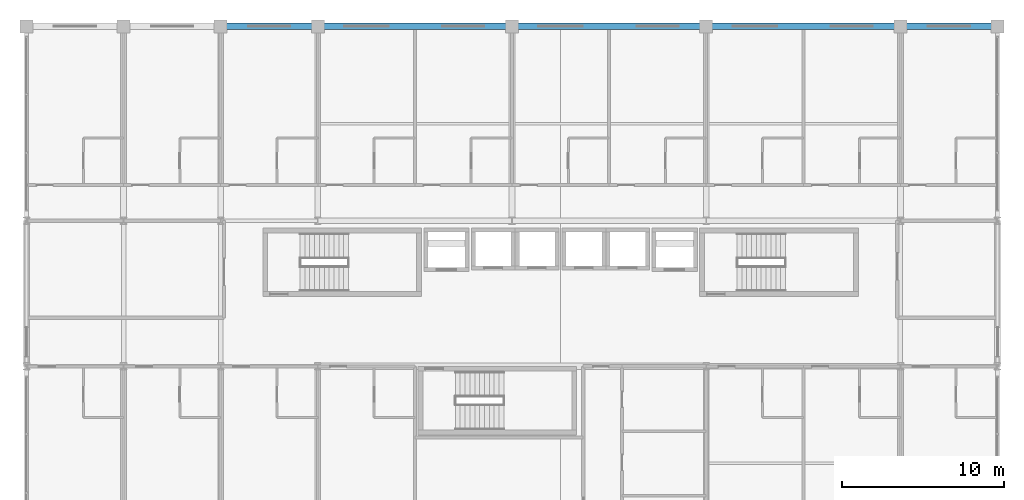
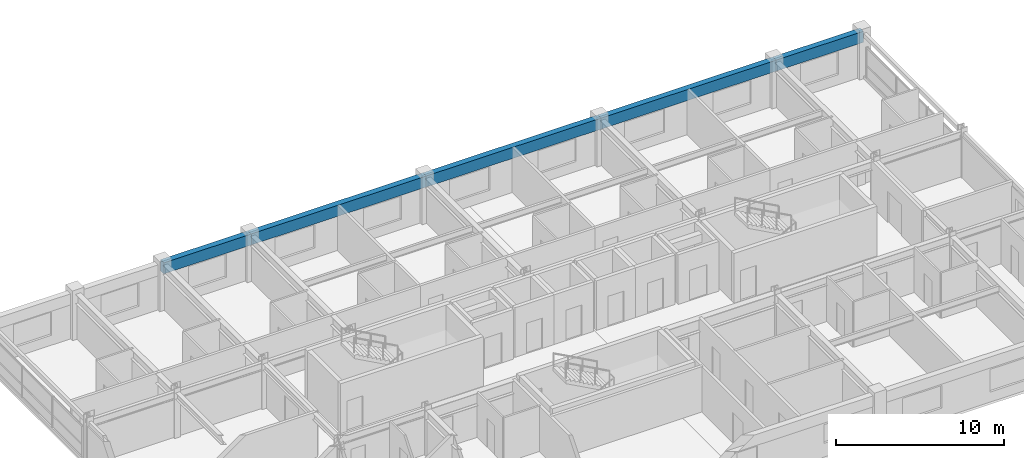
# One storey, part 18 of 26: 5 beams.
"""IFC4 building model written with IfcOpenShell, lengths in metres."""

from ifc_helpers import new_model, si_unit, direction, frame, origin, origin_2d, place, context, subcontext, project, spatial, rectangle, extrude, material, material_profile, profile_set, type_object, element, save


model = new_model("IFC4")

# Units and contexts
model_context = context("Model", 3, precision=1e-05, world=origin(), true_north=direction((0.0, 1.0)))
body_context = subcontext(model_context, "Body", "Model", "MODEL_VIEW")
ifc_project = project(units=[si_unit("LENGTHUNIT", "METRE"), si_unit("AREAUNIT", "SQUARE_METRE"), si_unit("VOLUMEUNIT", "CUBIC_METRE"), si_unit("PLANEANGLEUNIT", "RADIAN"), si_unit("MASSUNIT", "GRAM", prefix="KILO")], contexts=[model_context])

# Site, building, storey
site_placement = place(None, origin())
site = spatial("IfcSite", under=ifc_project, at=site_placement, CompositionType="ELEMENT")
building_placement = place(site_placement, origin())
building = spatial("IfcBuilding", under=site, at=building_placement, Name="Kaldorvane Square Convention Centre", CompositionType="ELEMENT")
storey_placement = place(building_placement, frame((0.0, 0.0, 42.0)))
storey = spatial("IfcBuildingStorey", under=building, at=storey_placement, Name="L09", CompositionType="ELEMENT", Elevation=42.0)

# Beams
ifc_material = material(Name="Concrete f'c = 42 MPa (Normalweight)", Category="concrete")
ifc_material_profile = material_profile(ifc_material, rectangle(XDim=0.399993896484375, YDim=0.8000030517578125, at=origin_2d()), Name="RCSP800X400")
ifc_profile_set = profile_set([ifc_material_profile], Name="Concrete f'c = 42 MPa (Normalweight)")
beam_type = type_object("IfcBeamType", Name="BM-SP-RC800", PredefinedType="SPANDREL", material=ifc_profile_set)
beam_1_placement = place(storey_placement, frame((36.0, 117.0, 2.8860015869140625), z_axis=(1.0, 0.0, 0.0), x_axis=(0.0, 1.0, 0.0)))
element("IfcBeam", 1, at=beam_1_placement, inside=storey, type_object=beam_type, Name="Perimeter Spandrel (L09)", PredefinedType="SPANDREL", context=body_context, shape_type="SweptSolid", body=[
    extrude(rectangle(XDim=0.399993896484375, YDim=0.8000030517578125, at=origin_2d()), origin(), (0.0, 0.0, 1.0), 6.0),
])
for number, where, z_axis, x_axis, name in (
    (2, (42.0, 117.0, 2.8860015869140625), (1.0, 0.0, 0.0), (0.0, 1.0, 0.0), "Perimeter Spandrel (L09)"),
    (3, (54.0, 117.0, 2.8860015869140625), (1.0, 0.0, 0.0), (0.0, 1.0, 0.0), "Perimeter Spandrel (L09)"),
    (4, (66.0, 117.0, 2.8860015869140625), (1.0, 0.0, 0.0), (0.0, 1.0, 0.0), "Perimeter Spandrel (L09)"),
):
    element("IfcBeam", number, at=place(storey_placement, frame(where, z_axis=z_axis, x_axis=x_axis)), inside=storey, type_object=beam_type, Name=name, PredefinedType="SPANDREL", context=body_context, shape_type="SweptSolid", body=[
        extrude(rectangle(XDim=0.399993896484375, YDim=0.8000030517578125, at=origin_2d()), origin(), (0.0, 0.0, 1.0), 12.0),
    ])
beam_2_placement = place(storey_placement, frame((78.0, 117.0, 2.8860015869140625), z_axis=(1.0, 0.0, 0.0), x_axis=(0.0, 1.0, 0.0)))
element("IfcBeam", 5, at=beam_2_placement, inside=storey, type_object=beam_type, Name="Perimeter Spandrel (L09)", PredefinedType="SPANDREL", context=body_context, shape_type="SweptSolid", body=[
    extrude(rectangle(XDim=0.399993896484375, YDim=0.8000030517578125, at=origin_2d()), origin(), (0.0, 0.0, 1.0), 6.0),
])

save(model, "model.ifc")
